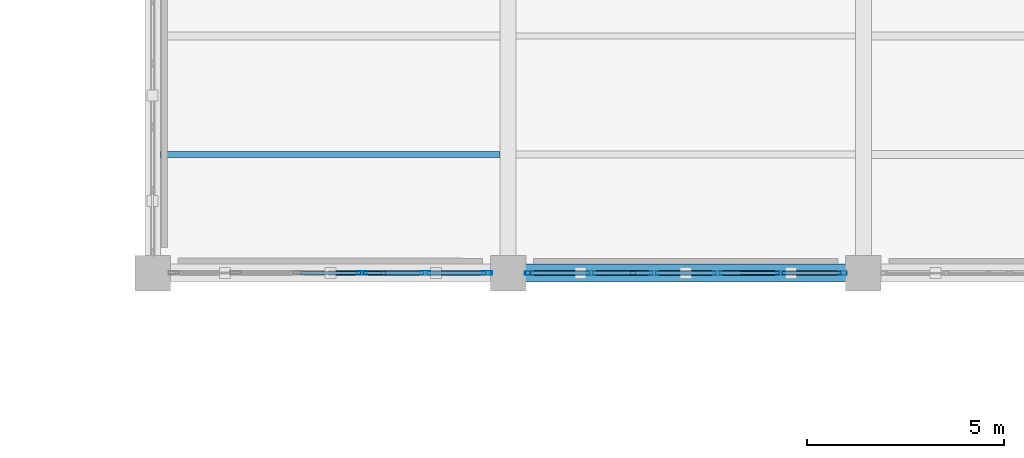
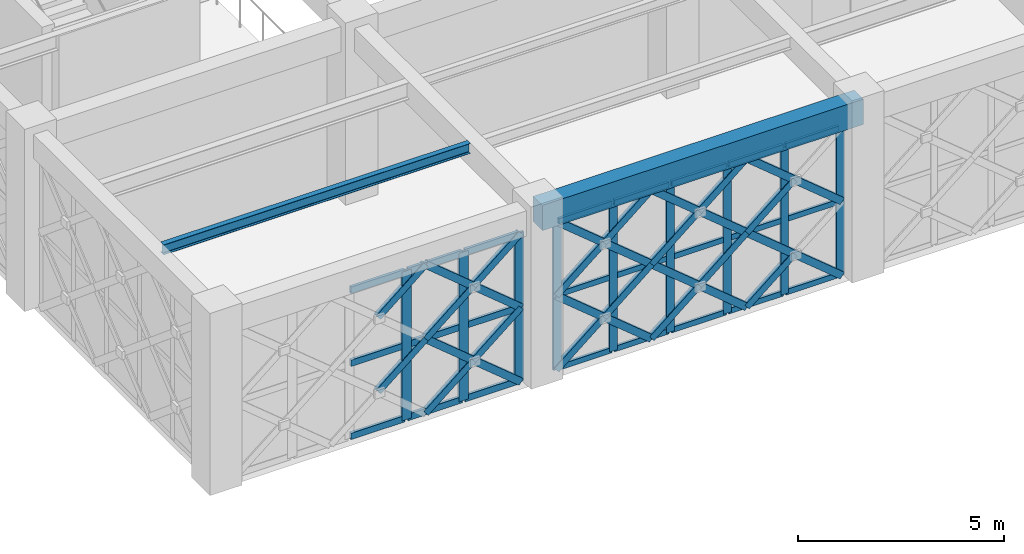
# One storey, part 50 of 155: 57 members, 2 beams, 2 elements without a shape of their own.
"""IFC4 building model written with IfcOpenShell, lengths in metres."""

from ifc_helpers import new_model, si_unit, direction, frame, origin, origin_2d, place, context, subcontext, project, spatial, rectangle, hollow_rectangle, i_section, extrude, material, material_profile, profile_set, type_object, element, aggregate, save


model = new_model("IFC4")

# Units and contexts
model_context = context("Model", 3, precision=1e-05, world=origin(), true_north=direction((0.0, 1.0)))
body_context = subcontext(model_context, "Body", "Model", "MODEL_VIEW")
ifc_project = project(units=[si_unit("LENGTHUNIT", "METRE"), si_unit("AREAUNIT", "SQUARE_METRE"), si_unit("VOLUMEUNIT", "CUBIC_METRE"), si_unit("PLANEANGLEUNIT", "RADIAN"), si_unit("MASSUNIT", "GRAM", prefix="KILO")], contexts=[model_context])

# Site, building, storey
site_placement = place(None, origin())
site = spatial("IfcSite", under=ifc_project, at=site_placement, CompositionType="ELEMENT")
building_placement = place(site_placement, origin())
building = spatial("IfcBuilding", under=site, at=building_placement, Name="Haizhuo Lancet Aquarium", CompositionType="ELEMENT")
storey_placement = place(building_placement, frame((0.0, 0.0, 10.800048828125)))
storey = spatial("IfcBuildingStorey", under=building, at=storey_placement, Name="L02", CompositionType="ELEMENT", Elevation=10.800048828125)

# Beam
ifc_material_1 = material(Name="Concrete C40/50", Category="concrete")
ifc_material_profile_1 = material_profile(ifc_material_1, rectangle(XDim=0.449951171875, YDim=0.75, at=origin_2d()), Name="RC-BM 450x750")
ifc_profile_set_1 = profile_set([ifc_material_profile_1], Name="Concrete C40/50")
beam_type_1 = type_object("IfcBeamType", Name="BM-RC-450x750", PredefinedType="BEAM", material=ifc_profile_set_1)
beam_1_placement = place(storey_placement, frame((36.0, -36.0, 4.784912109375), z_axis=(1.0, 0.0, 0.0), x_axis=(0.0, 1.0, 0.0)))
element("IfcBeam", 1, at=beam_1_placement, inside=storey, type_object=beam_type_1, Name="L02 V3 primary girder BM-L02-V3-008", PredefinedType="BEAM", context=body_context, shape_type="SweptSolid", body=[
    extrude(rectangle(XDim=0.449951171875, YDim=0.75, at=origin_2d()), origin(), (0.0, 0.0, 1.0), 9.0),
])

# Curtain wall, members
ifc_material_2 = material(Name="Aluminium 6063-T6", Category="aluminium")
curtain_wall_type = type_object("IfcCurtainWallType", Name="CWO-8010x4410", PredefinedType="NOTDEFINED", material=ifc_material_2)
curtain_wall_1_placement = place(storey_placement, origin())
curtain_wall_1 = element("IfcCurtainWall", 2, at=curtain_wall_1_placement, inside=storey, type_object=curtain_wall_type, Name="L02 curtain wall CW-V3-L02-062", PredefinedType="NOTDEFINED")
ifc_material_profile_2 = material_profile(ifc_material_2, hollow_rectangle(XDim=0.074951171875, YDim=0.219970703125, WallThickness=0.0048828125, at=origin_2d()), Name="ALU-M 75x220x5")
ifc_profile_set_2 = profile_set([ifc_material_profile_2], Name="Aluminium 6063-T6")
member_type_1 = type_object("IfcMemberType", Name="CW-MUL-2", PredefinedType="MULLION", material=ifc_profile_set_2)
member_1_placement = place(storey_placement, frame((44.468017578125, -36.0, 0.0), z_axis=(0.0, 0.0, 1.0), x_axis=(0.0, -1.0, 0.0)))
member_1 = element("IfcMember", 3, at=member_1_placement, type_object=member_type_1, Name="CWO-80x44 mullion 1", PredefinedType="MULLION", context=body_context, shape_type="SweptSolid", body=[
    extrude(hollow_rectangle(XDim=0.074951171875, YDim=0.219970703125, WallThickness=0.0048828125, at=origin_2d()), origin(), (0.0, 0.0, 1.0), 4.409912109375),
])
member_2_placement = place(storey_placement, frame((42.903076171875, -36.0, 0.0), z_axis=(0.0, 0.0, 1.0), x_axis=(0.0, -1.0, 0.0)))
member_2 = element("IfcMember", 4, at=member_2_placement, type_object=member_type_1, Name="CWO-80x44 mullion 2", PredefinedType="MULLION", context=body_context, shape_type="SweptSolid", body=[
    extrude(hollow_rectangle(XDim=0.074951171875, YDim=0.219970703125, WallThickness=0.0048828125, at=origin_2d()), origin(), (0.0, 0.0, 1.0), 4.409912109375),
])
member_3_placement = place(storey_placement, frame((41.301025390625, -36.0, 0.0), z_axis=(0.0, 0.0, 1.0), x_axis=(0.0, -1.0, 0.0)))
member_3 = element("IfcMember", 5, at=member_3_placement, type_object=member_type_1, Name="CWO-80x44 mullion 3", PredefinedType="MULLION", context=body_context, shape_type="SweptSolid", body=[
    extrude(hollow_rectangle(XDim=0.074951171875, YDim=0.219970703125, WallThickness=0.0048828125, at=origin_2d()), origin(), (0.0, 0.0, 1.0), 4.409912109375),
])
member_4_placement = place(storey_placement, frame((39.698974609375, -36.0, 0.0), z_axis=(0.0, 0.0, 1.0), x_axis=(0.0, -1.0, 0.0)))
member_4 = element("IfcMember", 6, at=member_4_placement, type_object=member_type_1, Name="CWO-80x44 mullion 4", PredefinedType="MULLION", context=body_context, shape_type="SweptSolid", body=[
    extrude(hollow_rectangle(XDim=0.074951171875, YDim=0.219970703125, WallThickness=0.0048828125, at=origin_2d()), origin(), (0.0, 0.0, 1.0), 4.409912109375),
])
member_5_placement = place(storey_placement, frame((38.096923828125, -36.0, 0.0), z_axis=(0.0, 0.0, 1.0), x_axis=(0.0, -1.0, 0.0)))
member_5 = element("IfcMember", 7, at=member_5_placement, type_object=member_type_1, Name="CWO-80x44 mullion 5", PredefinedType="MULLION", context=body_context, shape_type="SweptSolid", body=[
    extrude(hollow_rectangle(XDim=0.074951171875, YDim=0.219970703125, WallThickness=0.0048828125, at=origin_2d()), origin(), (0.0, 0.0, 1.0), 4.409912109375),
])
member_6_placement = place(storey_placement, frame((36.531982421875, -36.0, 0.0), z_axis=(0.0, 0.0, 1.0), x_axis=(0.0, -1.0, 0.0)))
member_6 = element("IfcMember", 8, at=member_6_placement, type_object=member_type_1, Name="CWO-80x44 mullion 6", PredefinedType="MULLION", context=body_context, shape_type="SweptSolid", body=[
    extrude(hollow_rectangle(XDim=0.074951171875, YDim=0.219970703125, WallThickness=0.0048828125, at=origin_2d()), origin(), (0.0, 0.0, 1.0), 4.409912109375),
])

curtain_wall_2_placement = place(storey_placement, origin())
curtain_wall_2 = element("IfcCurtainWall", 9, at=curtain_wall_2_placement, inside=storey, type_object=curtain_wall_type, Name="L02 curtain wall CW-V3-L02-063", PredefinedType="NOTDEFINED")
ifc_material_profile_3 = material_profile(ifc_material_2, hollow_rectangle(XDim=0.080078125, YDim=0.260009765625, WallThickness=0.0048828125, at=origin_2d()), Name="ALU-M 80x260x5")
ifc_profile_set_3 = profile_set([ifc_material_profile_3], Name="Aluminium 6063-T6")
member_type_2 = type_object("IfcMemberType", Name="CW-MUL-3", PredefinedType="MULLION", material=ifc_profile_set_3)
member_7_placement = place(storey_placement, frame((35.465087890625, -36.0, 0.0), z_axis=(0.0, 0.0, 1.0), x_axis=(0.0, -1.0, 0.0)))
member_7 = element("IfcMember", 10, at=member_7_placement, type_object=member_type_2, Name="CWO-80x44 mullion 1", PredefinedType="MULLION", context=body_context, shape_type="SweptSolid", body=[
    extrude(hollow_rectangle(XDim=0.080078125, YDim=0.260009765625, WallThickness=0.0048828125, at=origin_2d()), origin(), (0.0, 0.0, 1.0), 4.409912109375),
])
member_8_placement = place(storey_placement, frame((33.903076171875, -36.0, 0.0), z_axis=(0.0, 0.0, 1.0), x_axis=(0.0, -1.0, 0.0)))
member_8 = element("IfcMember", 11, at=member_8_placement, type_object=member_type_2, Name="CWO-80x44 mullion 2", PredefinedType="MULLION", context=body_context, shape_type="SweptSolid", body=[
    extrude(hollow_rectangle(XDim=0.080078125, YDim=0.260009765625, WallThickness=0.0048828125, at=origin_2d()), origin(), (0.0, 0.0, 1.0), 4.409912109375),
])
member_9_placement = place(storey_placement, frame((32.301025390625, -36.0, 0.0), z_axis=(0.0, 0.0, 1.0), x_axis=(0.0, -1.0, 0.0)))
member_9 = element("IfcMember", 12, at=member_9_placement, type_object=member_type_2, Name="CWO-80x44 mullion 3", PredefinedType="MULLION", context=body_context, shape_type="SweptSolid", body=[
    extrude(hollow_rectangle(XDim=0.080078125, YDim=0.260009765625, WallThickness=0.0048828125, at=origin_2d()), origin(), (0.0, 0.0, 1.0), 4.409912109375),
])

# Member
ifc_material_profile_4 = material_profile(ifc_material_2, hollow_rectangle(XDim=0.074951171875, YDim=0.159912109375, WallThickness=0.00390625, at=origin_2d()), Name="ALU-T 75x160x4")
ifc_profile_set_4 = profile_set([ifc_material_profile_4], Name="Aluminium 6063-T6")
member_type_3 = type_object("IfcMemberType", Name="CW-TRN-2", PredefinedType="NOTDEFINED", material=ifc_profile_set_4)
member_10_placement = place(storey_placement, frame((44.429931640625, -36.0, 0.037841796875), z_axis=(-1.0, 0.0, 0.0), x_axis=(0.0, -1.0, 0.0)))
member_10 = element("IfcMember", 13, at=member_10_placement, type_object=member_type_3, Name="CWO-80x44 transom 1.1", ObjectType="TRANSOM", PredefinedType="USERDEFINED", context=body_context, shape_type="SweptSolid", body=[
    extrude(hollow_rectangle(XDim=0.074951171875, YDim=0.159912109375, WallThickness=0.00390625, at=origin_2d()), origin(), (0.0, 0.0, 1.0), 1.489013671875),
])

member_11_placement = place(storey_placement, frame((44.429931640625, -36.0, 2.204833984375), z_axis=(-1.0, 0.0, 0.0), x_axis=(0.0, -1.0, 0.0)))
member_11 = element("IfcMember", 14, at=member_11_placement, type_object=member_type_3, Name="CWO-80x44 transom 1.2", ObjectType="TRANSOM", PredefinedType="USERDEFINED", context=body_context, shape_type="SweptSolid", body=[
    extrude(hollow_rectangle(XDim=0.074951171875, YDim=0.159912109375, WallThickness=0.00390625, at=origin_2d()), origin(), (0.0, 0.0, 1.0), 1.489013671875),
])

member_12_placement = place(storey_placement, frame((44.429931640625, -36.0, 4.373046875), z_axis=(-1.0, 0.0, 0.0), x_axis=(0.0, -1.0, 0.0)))
member_12 = element("IfcMember", 15, at=member_12_placement, type_object=member_type_3, Name="CWO-80x44 transom 1.3", ObjectType="TRANSOM", PredefinedType="USERDEFINED", context=body_context, shape_type="SweptSolid", body=[
    extrude(hollow_rectangle(XDim=0.074951171875, YDim=0.159912109375, WallThickness=0.00390625, at=origin_2d()), origin(), (0.0, 0.0, 1.0), 1.489013671875),
])

member_13_placement = place(storey_placement, frame((42.865966796875, -36.0, 0.037841796875), z_axis=(-1.0, 0.0, 0.0), x_axis=(0.0, -1.0, 0.0)))
member_13 = element("IfcMember", 16, at=member_13_placement, type_object=member_type_3, Name="CWO-80x44 transom 2.1", ObjectType="TRANSOM", PredefinedType="USERDEFINED", context=body_context, shape_type="SweptSolid", body=[
    extrude(hollow_rectangle(XDim=0.074951171875, YDim=0.159912109375, WallThickness=0.00390625, at=origin_2d()), origin(), (0.0, 0.0, 1.0), 1.52685546875),
])

member_14_placement = place(storey_placement, frame((42.865966796875, -36.0, 2.204833984375), z_axis=(-1.0, 0.0, 0.0), x_axis=(0.0, -1.0, 0.0)))
member_14 = element("IfcMember", 17, at=member_14_placement, type_object=member_type_3, Name="CWO-80x44 transom 2.2", ObjectType="TRANSOM", PredefinedType="USERDEFINED", context=body_context, shape_type="SweptSolid", body=[
    extrude(hollow_rectangle(XDim=0.074951171875, YDim=0.159912109375, WallThickness=0.00390625, at=origin_2d()), origin(), (0.0, 0.0, 1.0), 1.52685546875),
])

member_15_placement = place(storey_placement, frame((42.865966796875, -36.0, 4.373046875), z_axis=(-1.0, 0.0, 0.0), x_axis=(0.0, -1.0, 0.0)))
member_15 = element("IfcMember", 18, at=member_15_placement, type_object=member_type_3, Name="CWO-80x44 transom 2.3", ObjectType="TRANSOM", PredefinedType="USERDEFINED", context=body_context, shape_type="SweptSolid", body=[
    extrude(hollow_rectangle(XDim=0.074951171875, YDim=0.159912109375, WallThickness=0.00390625, at=origin_2d()), origin(), (0.0, 0.0, 1.0), 1.52685546875),
])

member_16_placement = place(storey_placement, frame((41.263916015625, -36.0, 0.037841796875), z_axis=(-1.0, 0.0, 0.0), x_axis=(0.0, -1.0, 0.0)))
member_16 = element("IfcMember", 19, at=member_16_placement, type_object=member_type_3, Name="CWO-80x44 transom 3.1", ObjectType="TRANSOM", PredefinedType="USERDEFINED", context=body_context, shape_type="SweptSolid", body=[
    extrude(hollow_rectangle(XDim=0.074951171875, YDim=0.159912109375, WallThickness=0.00390625, at=origin_2d()), origin(), (0.0, 0.0, 1.0), 1.52783203125),
])

member_17_placement = place(storey_placement, frame((41.263916015625, -36.0, 2.204833984375), z_axis=(-1.0, 0.0, 0.0), x_axis=(0.0, -1.0, 0.0)))
member_17 = element("IfcMember", 20, at=member_17_placement, type_object=member_type_3, Name="CWO-80x44 transom 3.2", ObjectType="TRANSOM", PredefinedType="USERDEFINED", context=body_context, shape_type="SweptSolid", body=[
    extrude(hollow_rectangle(XDim=0.074951171875, YDim=0.159912109375, WallThickness=0.00390625, at=origin_2d()), origin(), (0.0, 0.0, 1.0), 1.52783203125),
])

member_18_placement = place(storey_placement, frame((41.263916015625, -36.0, 4.373046875), z_axis=(-1.0, 0.0, 0.0), x_axis=(0.0, -1.0, 0.0)))
member_18 = element("IfcMember", 21, at=member_18_placement, type_object=member_type_3, Name="CWO-80x44 transom 3.3", ObjectType="TRANSOM", PredefinedType="USERDEFINED", context=body_context, shape_type="SweptSolid", body=[
    extrude(hollow_rectangle(XDim=0.074951171875, YDim=0.159912109375, WallThickness=0.00390625, at=origin_2d()), origin(), (0.0, 0.0, 1.0), 1.52783203125),
])

member_19_placement = place(storey_placement, frame((39.662109375, -36.0, 0.037841796875), z_axis=(-1.0, 0.0, 0.0), x_axis=(0.0, -1.0, 0.0)))
member_19 = element("IfcMember", 22, at=member_19_placement, type_object=member_type_3, Name="CWO-80x44 transom 4.1", ObjectType="TRANSOM", PredefinedType="USERDEFINED", context=body_context, shape_type="SweptSolid", body=[
    extrude(hollow_rectangle(XDim=0.074951171875, YDim=0.159912109375, WallThickness=0.00390625, at=origin_2d()), origin(), (0.0, 0.0, 1.0), 1.528076171875),
])

member_20_placement = place(storey_placement, frame((39.662109375, -36.0, 2.204833984375), z_axis=(-1.0, 0.0, 0.0), x_axis=(0.0, -1.0, 0.0)))
member_20 = element("IfcMember", 23, at=member_20_placement, type_object=member_type_3, Name="CWO-80x44 transom 4.2", ObjectType="TRANSOM", PredefinedType="USERDEFINED", context=body_context, shape_type="SweptSolid", body=[
    extrude(hollow_rectangle(XDim=0.074951171875, YDim=0.159912109375, WallThickness=0.00390625, at=origin_2d()), origin(), (0.0, 0.0, 1.0), 1.528076171875),
])

member_21_placement = place(storey_placement, frame((39.662109375, -36.0, 4.373046875), z_axis=(-1.0, 0.0, 0.0), x_axis=(0.0, -1.0, 0.0)))
member_21 = element("IfcMember", 24, at=member_21_placement, type_object=member_type_3, Name="CWO-80x44 transom 4.3", ObjectType="TRANSOM", PredefinedType="USERDEFINED", context=body_context, shape_type="SweptSolid", body=[
    extrude(hollow_rectangle(XDim=0.074951171875, YDim=0.159912109375, WallThickness=0.00390625, at=origin_2d()), origin(), (0.0, 0.0, 1.0), 1.528076171875),
])

member_22_placement = place(storey_placement, frame((38.05908203125, -36.0, 0.037841796875), z_axis=(-1.0, 0.0, 0.0), x_axis=(0.0, -1.0, 0.0)))
member_22 = element("IfcMember", 25, at=member_22_placement, type_object=member_type_3, Name="CWO-80x44 transom 5.1", ObjectType="TRANSOM", PredefinedType="USERDEFINED", context=body_context, shape_type="SweptSolid", body=[
    extrude(hollow_rectangle(XDim=0.074951171875, YDim=0.159912109375, WallThickness=0.00390625, at=origin_2d()), origin(), (0.0, 0.0, 1.0), 1.489013671875),
])

member_23_placement = place(storey_placement, frame((38.05908203125, -36.0, 2.204833984375), z_axis=(-1.0, 0.0, 0.0), x_axis=(0.0, -1.0, 0.0)))
member_23 = element("IfcMember", 26, at=member_23_placement, type_object=member_type_3, Name="CWO-80x44 transom 5.2", ObjectType="TRANSOM", PredefinedType="USERDEFINED", context=body_context, shape_type="SweptSolid", body=[
    extrude(hollow_rectangle(XDim=0.074951171875, YDim=0.159912109375, WallThickness=0.00390625, at=origin_2d()), origin(), (0.0, 0.0, 1.0), 1.489013671875),
])

member_24_placement = place(storey_placement, frame((38.05908203125, -36.0, 4.373046875), z_axis=(-1.0, 0.0, 0.0), x_axis=(0.0, -1.0, 0.0)))
member_24 = element("IfcMember", 27, at=member_24_placement, type_object=member_type_3, Name="CWO-80x44 transom 5.3", ObjectType="TRANSOM", PredefinedType="USERDEFINED", context=body_context, shape_type="SweptSolid", body=[
    extrude(hollow_rectangle(XDim=0.074951171875, YDim=0.159912109375, WallThickness=0.00390625, at=origin_2d()), origin(), (0.0, 0.0, 1.0), 1.489013671875),
])

aggregate(curtain_wall_1, [member_1, member_2, member_3, member_4, member_5, member_6, member_10, member_11, member_12, member_13, member_14, member_15, member_16, member_17, member_18, member_19, member_20, member_21, member_22, member_23, member_24])

ifc_material_profile_5 = material_profile(ifc_material_2, hollow_rectangle(XDim=0.080078125, YDim=0.18994140625, WallThickness=0.0048828125, at=origin_2d()), Name="ALU-T 80x190x5")
ifc_profile_set_5 = profile_set([ifc_material_profile_5], Name="Aluminium 6063-T6")
member_type_4 = type_object("IfcMemberType", Name="CW-TRN-3", PredefinedType="NOTDEFINED", material=ifc_profile_set_5)
member_25_placement = place(storey_placement, frame((35.425048828125, -36.0, 0.0400390625), z_axis=(-1.0, 0.0, 0.0), x_axis=(0.0, -1.0, 0.0)))
member_25 = element("IfcMember", 28, at=member_25_placement, type_object=member_type_4, Name="CWO-80x44 transom 1.1", ObjectType="TRANSOM", PredefinedType="USERDEFINED", context=body_context, shape_type="SweptSolid", body=[
    extrude(hollow_rectangle(XDim=0.080078125, YDim=0.18994140625, WallThickness=0.0048828125, at=origin_2d()), origin(), (0.0, 0.0, 1.0), 1.48193359375),
])

member_26_placement = place(storey_placement, frame((35.425048828125, -36.0, 2.204833984375), z_axis=(-1.0, 0.0, 0.0), x_axis=(0.0, -1.0, 0.0)))
member_26 = element("IfcMember", 29, at=member_26_placement, type_object=member_type_4, Name="CWO-80x44 transom 1.2", ObjectType="TRANSOM", PredefinedType="USERDEFINED", context=body_context, shape_type="SweptSolid", body=[
    extrude(hollow_rectangle(XDim=0.080078125, YDim=0.18994140625, WallThickness=0.0048828125, at=origin_2d()), origin(), (0.0, 0.0, 1.0), 1.48193359375),
])

member_27_placement = place(storey_placement, frame((35.425048828125, -36.0, 4.369873046875), z_axis=(-1.0, 0.0, 0.0), x_axis=(0.0, -1.0, 0.0)))
member_27 = element("IfcMember", 30, at=member_27_placement, type_object=member_type_4, Name="CWO-80x44 transom 1.3", ObjectType="TRANSOM", PredefinedType="USERDEFINED", context=body_context, shape_type="SweptSolid", body=[
    extrude(hollow_rectangle(XDim=0.080078125, YDim=0.18994140625, WallThickness=0.0048828125, at=origin_2d()), origin(), (0.0, 0.0, 1.0), 1.48193359375),
])

member_28_placement = place(storey_placement, frame((33.863037109375, -36.0, 0.0400390625), z_axis=(-1.0, 0.0, 0.0), x_axis=(0.0, -1.0, 0.0)))
member_28 = element("IfcMember", 31, at=member_28_placement, type_object=member_type_4, Name="CWO-80x44 transom 2.1", ObjectType="TRANSOM", PredefinedType="USERDEFINED", context=body_context, shape_type="SweptSolid", body=[
    extrude(hollow_rectangle(XDim=0.080078125, YDim=0.18994140625, WallThickness=0.0048828125, at=origin_2d()), origin(), (0.0, 0.0, 1.0), 1.52197265625),
])

member_29_placement = place(storey_placement, frame((33.863037109375, -36.0, 2.204833984375), z_axis=(-1.0, 0.0, 0.0), x_axis=(0.0, -1.0, 0.0)))
member_29 = element("IfcMember", 32, at=member_29_placement, type_object=member_type_4, Name="CWO-80x44 transom 2.2", ObjectType="TRANSOM", PredefinedType="USERDEFINED", context=body_context, shape_type="SweptSolid", body=[
    extrude(hollow_rectangle(XDim=0.080078125, YDim=0.18994140625, WallThickness=0.0048828125, at=origin_2d()), origin(), (0.0, 0.0, 1.0), 1.52197265625),
])

member_30_placement = place(storey_placement, frame((33.863037109375, -36.0, 4.369873046875), z_axis=(-1.0, 0.0, 0.0), x_axis=(0.0, -1.0, 0.0)))
member_30 = element("IfcMember", 33, at=member_30_placement, type_object=member_type_4, Name="CWO-80x44 transom 2.3", ObjectType="TRANSOM", PredefinedType="USERDEFINED", context=body_context, shape_type="SweptSolid", body=[
    extrude(hollow_rectangle(XDim=0.080078125, YDim=0.18994140625, WallThickness=0.0048828125, at=origin_2d()), origin(), (0.0, 0.0, 1.0), 1.52197265625),
])

member_31_placement = place(storey_placement, frame((32.260986328125, -36.0, 0.0400390625), z_axis=(-1.0, 0.0, 0.0), x_axis=(0.0, -1.0, 0.0)))
member_31 = element("IfcMember", 34, at=member_31_placement, type_object=member_type_4, Name="CWO-80x44 transom 3.1", ObjectType="TRANSOM", PredefinedType="USERDEFINED", context=body_context, shape_type="SweptSolid", body=[
    extrude(hollow_rectangle(XDim=0.080078125, YDim=0.18994140625, WallThickness=0.0048828125, at=origin_2d()), origin(), (0.0, 0.0, 1.0), 1.52197265625),
])

member_32_placement = place(storey_placement, frame((32.260986328125, -36.0, 2.204833984375), z_axis=(-1.0, 0.0, 0.0), x_axis=(0.0, -1.0, 0.0)))
member_32 = element("IfcMember", 35, at=member_32_placement, type_object=member_type_4, Name="CWO-80x44 transom 3.2", ObjectType="TRANSOM", PredefinedType="USERDEFINED", context=body_context, shape_type="SweptSolid", body=[
    extrude(hollow_rectangle(XDim=0.080078125, YDim=0.18994140625, WallThickness=0.0048828125, at=origin_2d()), origin(), (0.0, 0.0, 1.0), 1.52197265625),
])

member_33_placement = place(storey_placement, frame((32.260986328125, -36.0, 4.369873046875), z_axis=(-1.0, 0.0, 0.0), x_axis=(0.0, -1.0, 0.0)))
member_33 = element("IfcMember", 36, at=member_33_placement, type_object=member_type_4, Name="CWO-80x44 transom 3.3", ObjectType="TRANSOM", PredefinedType="USERDEFINED", context=body_context, shape_type="SweptSolid", body=[
    extrude(hollow_rectangle(XDim=0.080078125, YDim=0.18994140625, WallThickness=0.0048828125, at=origin_2d()), origin(), (0.0, 0.0, 1.0), 1.52197265625),
])

aggregate(curtain_wall_2, [member_7, member_8, member_9, member_25, member_26, member_27, member_28, member_29, member_30, member_31, member_32, member_33])

# Beam
ifc_material_3 = material(Name="Steel S355", Category="steel")
ifc_material_profile_6 = material_profile(ifc_material_3, i_section(OverallWidth=0.14990234375, OverallDepth=0.300048828125, WebThickness=0.006591796875, FlangeThickness=0.009033203125, FilletRadius=0.012939453125, at=origin_2d()), Name="HN 300x150x6.5x9")
ifc_profile_set_6 = profile_set([ifc_material_profile_6], Name="Steel S355")
beam_type_2 = type_object("IfcBeamType", Name="JST-ST-HN300", PredefinedType="JOIST", material=ifc_profile_set_6)
beam_2_placement = place(storey_placement, frame((27.199951171875, -33.0, 5.010009765625), z_axis=(1.0, 0.0, 0.0), x_axis=(0.0, 1.0, 0.0)))
element("IfcBeam", 37, at=beam_2_placement, inside=storey, type_object=beam_type_2, Name="L02 V3 secondary floor joist 1", PredefinedType="JOIST", context=body_context, shape_type="SweptSolid", body=[
    extrude(i_section(OverallWidth=0.14990234375, OverallDepth=0.300048828125, WebThickness=0.006591796875, FlangeThickness=0.009033203125, FilletRadius=0.012939453125, at=origin_2d()), origin(), (0.0, 0.0, 1.0), 8.60009765625),
])

# Members
ifc_material_profile_7 = material_profile(ifc_material_3, hollow_rectangle(XDim=0.1201171875, YDim=0.199951171875, WallThickness=0.008056640625, at=origin_2d()), Name="RHS 120x200x8")
ifc_profile_set_7 = profile_set([ifc_material_profile_7], Name="Steel S355")
member_type_5 = type_object("IfcMemberType", Name="MEM-LB-RHS120x200", PredefinedType="BRACE", material=ifc_profile_set_7)
member_34_placement = place(storey_placement, frame((44.5048828125, -36.0, 0.0), z_axis=(-0.771068610934, 0.0, 0.636752068887), x_axis=(0.0, -1.0, 0.0)))
element("IfcMember", 38, at=member_34_placement, inside=storey, type_object=member_type_5, Name="Gothic lancet continuous diagonal brace CW-V3-L02-062 1A", PredefinedType="BRACE", context=body_context, shape_type="SweptSolid", body=[
    extrude(hollow_rectangle(XDim=0.1201171875, YDim=0.199951171875, WallThickness=0.008056640625, at=origin_2d()), origin(), (0.0, 0.0, 1.0), 3.462646484375),
])
member_35_placement = place(storey_placement, frame((41.8349609375, -36.0, 0.0), z_axis=(0.771172467693, 0.0, 0.63662628368), x_axis=(0.0, 1.0, 0.0)))
element("IfcMember", 39, at=member_35_placement, inside=storey, type_object=member_type_5, Name="Gothic lancet split diagonal brace CW-V3-L02-062 1B1", PredefinedType="BRACE", context=body_context, shape_type="SweptSolid", body=[
    extrude(hollow_rectangle(XDim=0.1201171875, YDim=0.199951171875, WallThickness=0.008056640625, at=origin_2d()), origin(), (0.0, 0.0, 1.0), 1.731201171875),
])
member_36_placement = place(storey_placement, frame((44.5048828125, -36.0, 2.204833984375), z_axis=(-0.771033993673, 0.0, 0.636793985996), x_axis=(0.0, -1.0, 0.0)))
element("IfcMember", 40, at=member_36_placement, inside=storey, type_object=member_type_5, Name="Gothic lancet continuous diagonal brace CW-V3-L02-062 2A", PredefinedType="BRACE", context=body_context, shape_type="SweptSolid", body=[
    extrude(hollow_rectangle(XDim=0.1201171875, YDim=0.199951171875, WallThickness=0.008056640625, at=origin_2d()), origin(), (0.0, 0.0, 1.0), 3.462890625),
])
member_37_placement = place(storey_placement, frame((41.8349609375, -36.0, 2.204833984375), z_axis=(0.770895532931, 0.0, 0.636961597985), x_axis=(0.0, 1.0, 0.0)))
element("IfcMember", 41, at=member_37_placement, inside=storey, type_object=member_type_5, Name="Gothic lancet split diagonal brace CW-V3-L02-062 2B1", PredefinedType="BRACE", context=body_context, shape_type="SweptSolid", body=[
    extrude(hollow_rectangle(XDim=0.1201171875, YDim=0.199951171875, WallThickness=0.008056640625, at=origin_2d()), origin(), (0.0, 0.0, 1.0), 1.731689453125),
])
member_38_placement = place(storey_placement, frame((41.8349609375, -36.0, 0.0), z_axis=(-0.771068610934, 0.0, 0.636752068887), x_axis=(0.0, -1.0, 0.0)))
element("IfcMember", 42, at=member_38_placement, inside=storey, type_object=member_type_5, Name="Gothic lancet continuous diagonal brace CW-V3-L02-062 3A", PredefinedType="BRACE", context=body_context, shape_type="SweptSolid", body=[
    extrude(hollow_rectangle(XDim=0.1201171875, YDim=0.199951171875, WallThickness=0.008056640625, at=origin_2d()), origin(), (0.0, 0.0, 1.0), 3.462646484375),
])
member_39_placement = place(storey_placement, frame((39.1650390625, -36.0, 0.0), z_axis=(0.771172467693, 0.0, 0.63662628368), x_axis=(0.0, 1.0, 0.0)))
element("IfcMember", 43, at=member_39_placement, inside=storey, type_object=member_type_5, Name="Gothic lancet split diagonal brace CW-V3-L02-062 3B1", PredefinedType="BRACE", context=body_context, shape_type="SweptSolid", body=[
    extrude(hollow_rectangle(XDim=0.1201171875, YDim=0.199951171875, WallThickness=0.008056640625, at=origin_2d()), origin(), (0.0, 0.0, 1.0), 1.731201171875),
])
member_40_placement = place(storey_placement, frame((40.5, -36.0, 1.10205078125), z_axis=(0.77096476164, 0.0, 0.636877803279), x_axis=(0.0, 1.0, 0.0)))
element("IfcMember", 44, at=member_40_placement, inside=storey, type_object=member_type_5, Name="Gothic lancet split diagonal brace CW-V3-L02-062 3B2", PredefinedType="BRACE", context=body_context, shape_type="SweptSolid", body=[
    extrude(hollow_rectangle(XDim=0.1201171875, YDim=0.199951171875, WallThickness=0.008056640625, at=origin_2d()), origin(), (0.0, 0.0, 1.0), 1.7314453125),
])
member_41_placement = place(storey_placement, frame((41.8349609375, -36.0, 2.204833984375), z_axis=(-0.771033993673, 0.0, 0.636793985996), x_axis=(0.0, -1.0, 0.0)))
element("IfcMember", 45, at=member_41_placement, inside=storey, type_object=member_type_5, Name="Gothic lancet continuous diagonal brace CW-V3-L02-062 4A", PredefinedType="BRACE", context=body_context, shape_type="SweptSolid", body=[
    extrude(hollow_rectangle(XDim=0.1201171875, YDim=0.199951171875, WallThickness=0.008056640625, at=origin_2d()), origin(), (0.0, 0.0, 1.0), 3.462890625),
])
member_42_placement = place(storey_placement, frame((39.1650390625, -36.0, 2.204833984375), z_axis=(0.770895532931, 0.0, 0.636961597985), x_axis=(0.0, 1.0, 0.0)))
element("IfcMember", 46, at=member_42_placement, inside=storey, type_object=member_type_5, Name="Gothic lancet split diagonal brace CW-V3-L02-062 4B1", PredefinedType="BRACE", context=body_context, shape_type="SweptSolid", body=[
    extrude(hollow_rectangle(XDim=0.1201171875, YDim=0.199951171875, WallThickness=0.008056640625, at=origin_2d()), origin(), (0.0, 0.0, 1.0), 1.731689453125),
])
member_43_placement = place(storey_placement, frame((40.5, -36.0, 3.307861328125), z_axis=(0.771172467693, 0.0, 0.63662628368), x_axis=(0.0, 1.0, 0.0)))
element("IfcMember", 47, at=member_43_placement, inside=storey, type_object=member_type_5, Name="Gothic lancet split diagonal brace CW-V3-L02-062 4B2", PredefinedType="BRACE", context=body_context, shape_type="SweptSolid", body=[
    extrude(hollow_rectangle(XDim=0.1201171875, YDim=0.199951171875, WallThickness=0.008056640625, at=origin_2d()), origin(), (0.0, 0.0, 1.0), 1.731201171875),
])
member_44_placement = place(storey_placement, frame((39.1650390625, -36.0, 0.0), z_axis=(-0.771068610934, 0.0, 0.636752068887), x_axis=(0.0, -1.0, 0.0)))
element("IfcMember", 48, at=member_44_placement, inside=storey, type_object=member_type_5, Name="Gothic lancet continuous diagonal brace CW-V3-L02-062 5A", PredefinedType="BRACE", context=body_context, shape_type="SweptSolid", body=[
    extrude(hollow_rectangle(XDim=0.1201171875, YDim=0.199951171875, WallThickness=0.008056640625, at=origin_2d()), origin(), (0.0, 0.0, 1.0), 3.462646484375),
])
member_45_placement = place(storey_placement, frame((36.4951171875, -36.0, 0.0), z_axis=(0.771172467693, 0.0, 0.63662628368), x_axis=(0.0, 1.0, 0.0)))
element("IfcMember", 49, at=member_45_placement, inside=storey, type_object=member_type_5, Name="Gothic lancet split diagonal brace CW-V3-L02-062 5B1", PredefinedType="BRACE", context=body_context, shape_type="SweptSolid", body=[
    extrude(hollow_rectangle(XDim=0.1201171875, YDim=0.199951171875, WallThickness=0.008056640625, at=origin_2d()), origin(), (0.0, 0.0, 1.0), 1.731201171875),
])
member_46_placement = place(storey_placement, frame((37.830078125, -36.0, 1.10205078125), z_axis=(0.77096476164, 0.0, 0.636877803279), x_axis=(0.0, 1.0, 0.0)))
element("IfcMember", 50, at=member_46_placement, inside=storey, type_object=member_type_5, Name="Gothic lancet split diagonal brace CW-V3-L02-062 5B2", PredefinedType="BRACE", context=body_context, shape_type="SweptSolid", body=[
    extrude(hollow_rectangle(XDim=0.1201171875, YDim=0.199951171875, WallThickness=0.008056640625, at=origin_2d()), origin(), (0.0, 0.0, 1.0), 1.7314453125),
])
member_47_placement = place(storey_placement, frame((39.1650390625, -36.0, 2.204833984375), z_axis=(-0.771033993673, 0.0, 0.636793985996), x_axis=(0.0, -1.0, 0.0)))
element("IfcMember", 51, at=member_47_placement, inside=storey, type_object=member_type_5, Name="Gothic lancet continuous diagonal brace CW-V3-L02-062 6A", PredefinedType="BRACE", context=body_context, shape_type="SweptSolid", body=[
    extrude(hollow_rectangle(XDim=0.1201171875, YDim=0.199951171875, WallThickness=0.008056640625, at=origin_2d()), origin(), (0.0, 0.0, 1.0), 3.462890625),
])
member_48_placement = place(storey_placement, frame((36.4951171875, -36.0, 2.204833984375), z_axis=(0.770895532931, 0.0, 0.636961597985), x_axis=(0.0, 1.0, 0.0)))
element("IfcMember", 52, at=member_48_placement, inside=storey, type_object=member_type_5, Name="Gothic lancet split diagonal brace CW-V3-L02-062 6B1", PredefinedType="BRACE", context=body_context, shape_type="SweptSolid", body=[
    extrude(hollow_rectangle(XDim=0.1201171875, YDim=0.199951171875, WallThickness=0.008056640625, at=origin_2d()), origin(), (0.0, 0.0, 1.0), 1.731689453125),
])
member_49_placement = place(storey_placement, frame((37.830078125, -36.0, 3.307861328125), z_axis=(0.771172467693, 0.0, 0.63662628368), x_axis=(0.0, 1.0, 0.0)))
element("IfcMember", 53, at=member_49_placement, inside=storey, type_object=member_type_5, Name="Gothic lancet split diagonal brace CW-V3-L02-062 6B2", PredefinedType="BRACE", context=body_context, shape_type="SweptSolid", body=[
    extrude(hollow_rectangle(XDim=0.1201171875, YDim=0.199951171875, WallThickness=0.008056640625, at=origin_2d()), origin(), (0.0, 0.0, 1.0), 1.731201171875),
])
member_50_placement = place(storey_placement, frame((35.5048828125, -36.0, 0.0), z_axis=(-0.771068610934, 0.0, 0.636752068887), x_axis=(0.0, -1.0, 0.0)))
element("IfcMember", 54, at=member_50_placement, inside=storey, type_object=member_type_5, Name="Gothic lancet continuous diagonal brace CW-V3-L02-063 1A", PredefinedType="BRACE", context=body_context, shape_type="SweptSolid", body=[
    extrude(hollow_rectangle(XDim=0.1201171875, YDim=0.199951171875, WallThickness=0.008056640625, at=origin_2d()), origin(), (0.0, 0.0, 1.0), 3.462646484375),
])
member_51_placement = place(storey_placement, frame((32.8349609375, -36.0, 0.0), z_axis=(0.771172467693, 0.0, 0.63662628368), x_axis=(0.0, 1.0, 0.0)))
element("IfcMember", 55, at=member_51_placement, inside=storey, type_object=member_type_5, Name="Gothic lancet split diagonal brace CW-V3-L02-063 1B1", PredefinedType="BRACE", context=body_context, shape_type="SweptSolid", body=[
    extrude(hollow_rectangle(XDim=0.1201171875, YDim=0.199951171875, WallThickness=0.008056640625, at=origin_2d()), origin(), (0.0, 0.0, 1.0), 1.731201171875),
])
member_52_placement = place(storey_placement, frame((34.169921875, -36.0, 1.10205078125), z_axis=(0.77096476164, 0.0, 0.636877803279), x_axis=(0.0, 1.0, 0.0)))
element("IfcMember", 56, at=member_52_placement, inside=storey, type_object=member_type_5, Name="Gothic lancet split diagonal brace CW-V3-L02-063 1B2", PredefinedType="BRACE", context=body_context, shape_type="SweptSolid", body=[
    extrude(hollow_rectangle(XDim=0.1201171875, YDim=0.199951171875, WallThickness=0.008056640625, at=origin_2d()), origin(), (0.0, 0.0, 1.0), 1.7314453125),
])
member_53_placement = place(storey_placement, frame((35.5048828125, -36.0, 2.204833984375), z_axis=(-0.771033993673, 0.0, 0.636793985996), x_axis=(0.0, -1.0, 0.0)))
element("IfcMember", 57, at=member_53_placement, inside=storey, type_object=member_type_5, Name="Gothic lancet continuous diagonal brace CW-V3-L02-063 2A", PredefinedType="BRACE", context=body_context, shape_type="SweptSolid", body=[
    extrude(hollow_rectangle(XDim=0.1201171875, YDim=0.199951171875, WallThickness=0.008056640625, at=origin_2d()), origin(), (0.0, 0.0, 1.0), 3.462890625),
])
member_54_placement = place(storey_placement, frame((32.8349609375, -36.0, 2.204833984375), z_axis=(0.770895532931, 0.0, 0.636961597985), x_axis=(0.0, 1.0, 0.0)))
element("IfcMember", 58, at=member_54_placement, inside=storey, type_object=member_type_5, Name="Gothic lancet split diagonal brace CW-V3-L02-063 2B1", PredefinedType="BRACE", context=body_context, shape_type="SweptSolid", body=[
    extrude(hollow_rectangle(XDim=0.1201171875, YDim=0.199951171875, WallThickness=0.008056640625, at=origin_2d()), origin(), (0.0, 0.0, 1.0), 1.731689453125),
])
member_55_placement = place(storey_placement, frame((34.169921875, -36.0, 3.307861328125), z_axis=(0.771172467693, 0.0, 0.63662628368), x_axis=(0.0, 1.0, 0.0)))
element("IfcMember", 59, at=member_55_placement, inside=storey, type_object=member_type_5, Name="Gothic lancet split diagonal brace CW-V3-L02-063 2B2", PredefinedType="BRACE", context=body_context, shape_type="SweptSolid", body=[
    extrude(hollow_rectangle(XDim=0.1201171875, YDim=0.199951171875, WallThickness=0.008056640625, at=origin_2d()), origin(), (0.0, 0.0, 1.0), 1.731201171875),
])
member_56_placement = place(storey_placement, frame((31.5, -36.0, 1.10205078125), z_axis=(0.77096476164, 0.0, 0.636877803279), x_axis=(0.0, 1.0, 0.0)))
element("IfcMember", 60, at=member_56_placement, inside=storey, type_object=member_type_5, Name="Gothic lancet split diagonal brace CW-V3-L02-063 3B2", PredefinedType="BRACE", context=body_context, shape_type="SweptSolid", body=[
    extrude(hollow_rectangle(XDim=0.1201171875, YDim=0.199951171875, WallThickness=0.008056640625, at=origin_2d()), origin(), (0.0, 0.0, 1.0), 1.7314453125),
])
member_57_placement = place(storey_placement, frame((31.5, -36.0, 3.307861328125), z_axis=(0.771172467693, 0.0, 0.63662628368), x_axis=(0.0, 1.0, 0.0)))
element("IfcMember", 61, at=member_57_placement, inside=storey, type_object=member_type_5, Name="Gothic lancet split diagonal brace CW-V3-L02-063 4B2", PredefinedType="BRACE", context=body_context, shape_type="SweptSolid", body=[
    extrude(hollow_rectangle(XDim=0.1201171875, YDim=0.199951171875, WallThickness=0.008056640625, at=origin_2d()), origin(), (0.0, 0.0, 1.0), 1.731201171875),
])

save(model, "model.ifc")
